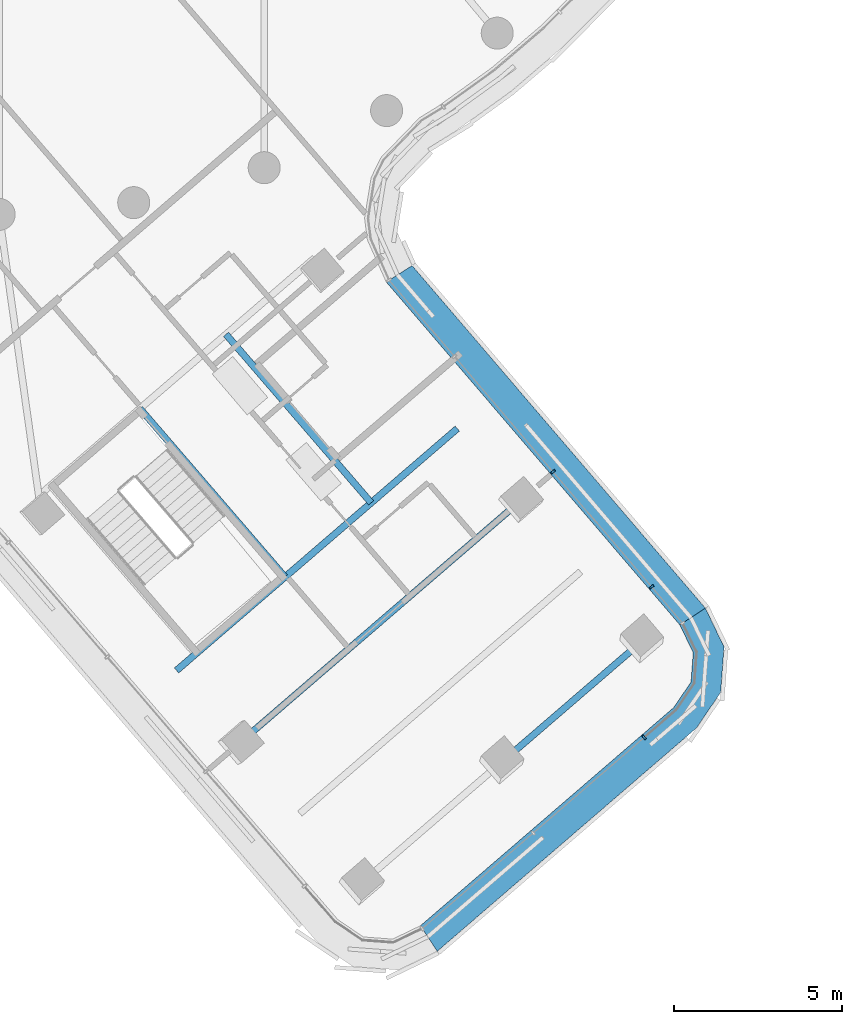
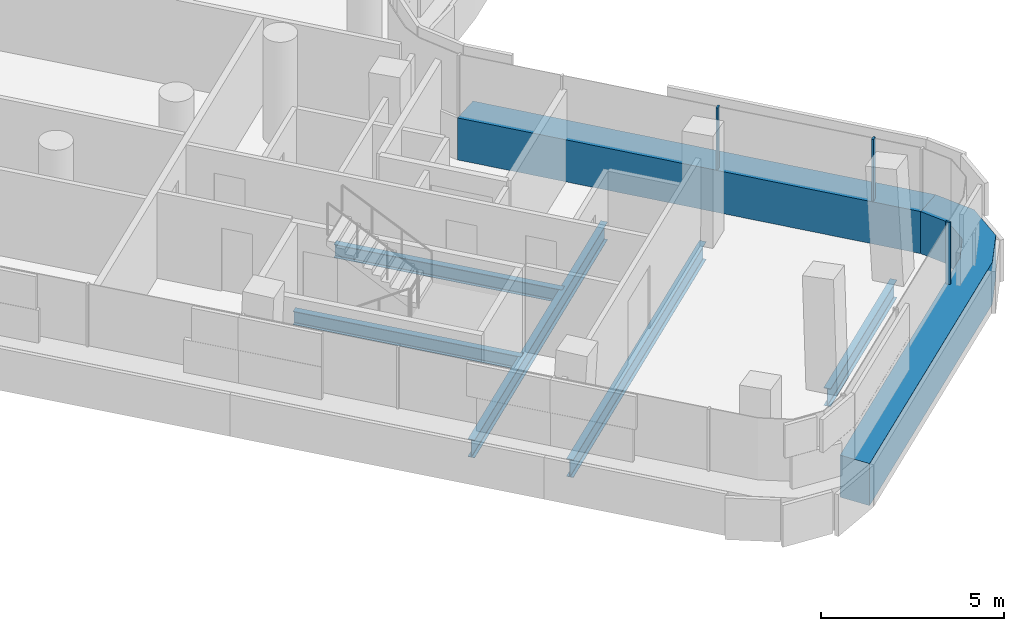
# One storey, part 5 of 34: 5 beams, 5 members, 2 elements without a shape of their own.
"""IFC4 building model written with IfcOpenShell, lengths in metres."""

from ifc_helpers import new_model, si_unit, direction, frame, origin, origin_2d, place, context, subcontext, project, spatial, polyline, rectangle, i_section, outline, extrude, material, layer, layer_set, material_profile, profile_set, type_object, element, aggregate, save


model = new_model("IFC4")

# Units and contexts
model_context = context("Model", 3, precision=1e-05, world=origin(), true_north=direction((0.0, 1.0)))
body_context = subcontext(model_context, "Body", "Model", "MODEL_VIEW")
ifc_project = project(units=[si_unit("LENGTHUNIT", "METRE"), si_unit("AREAUNIT", "SQUARE_METRE"), si_unit("VOLUMEUNIT", "CUBIC_METRE"), si_unit("PLANEANGLEUNIT", "RADIAN"), si_unit("MASSUNIT", "GRAM", prefix="KILO")], contexts=[model_context])

# Site, building, storey
site_placement = place(None, origin())
site = spatial("IfcSite", under=ifc_project, at=site_placement, CompositionType="ELEMENT")
building_placement = place(site_placement, origin())
building = spatial("IfcBuilding", under=site, at=building_placement, Name="Tamarind Cross Interchange Tower", CompositionType="ELEMENT")
storey_placement = place(building_placement, frame((0.0, 0.0, 182.5)))
storey = spatial("IfcBuildingStorey", under=building, at=storey_placement, Name="L45", CompositionType="ELEMENT", Elevation=182.5)

# Beams
ifc_material_1 = material(Name="Steel Q355B", Category="steel")
ifc_material_profile_1 = material_profile(ifc_material_1, i_section(OverallWidth=0.198974609375, OverallDepth=0.446044921875, WebThickness=0.008056640625, FlangeThickness=0.011962890625, FilletRadius=0.012939453125, at=origin_2d()), Name="HN 446x199x8x12")
ifc_profile_set_1 = profile_set([ifc_material_profile_1], Name="Steel Q355B")
beam_type_1 = type_object("IfcBeamType", Name="Composite beam HN 446x199x8x12 Q355B", PredefinedType="BEAM", material=ifc_profile_set_1)
for number, where, z_axis, x_axis, name in (
    (1, (4.1767578125, -28.762939453125, -0.363037109375), (0.652726663697, -0.75759349423, 0.0), (0.75759349423, 0.652726663697, 0.0), "Beam S-tr1"),
    (2, (6.73388671875, -26.56005859375, -0.363037109375), (0.652705432559, -0.757611786015, 0.0), (0.757611786015, 0.652705432559, 0.0), "Beam S-stripp"),
):
    element("IfcBeam", number, at=place(storey_placement, frame(where, z_axis=z_axis, x_axis=x_axis)), inside=storey, type_object=beam_type_1, Name=name, PredefinedType="BEAM", context=body_context, shape_type="SweptSolid", body=[
        extrude(i_section(OverallWidth=0.198974609375, OverallDepth=0.446044921875, WebThickness=0.008056640625, FlangeThickness=0.011962890625, FilletRadius=0.012939453125, at=origin_2d()), origin(), (0.0, 0.0, 1.0), 6.60009765625),
    ])
ifc_material_profile_2 = material_profile(ifc_material_1, i_section(OverallWidth=0.198974609375, OverallDepth=0.595947265625, WebThickness=0.010009765625, FlangeThickness=0.014892578125, FilletRadius=0.012939453125, at=origin_2d()), Name="HN 596x199x10x15")
ifc_profile_set_2 = profile_set([ifc_material_profile_2], Name="Steel Q355B")
beam_type_2 = type_object("IfcBeamType", Name="Composite beam HN 596x199x10x15 Q355B", PredefinedType="BEAM", material=ifc_profile_set_2)
beam_placement = place(storey_placement, frame((14.890625, -39.282958984375, -0.43798828125), z_axis=(0.757605988816, 0.652712161455, 0.0), x_axis=(-0.652712161455, 0.757605988816, 0.0)))
element("IfcBeam", 3, at=beam_placement, inside=storey, type_object=beam_type_2, Name="Beam S-tip1", PredefinedType="BEAM", context=body_context, shape_type="SweptSolid", body=[
    extrude(i_section(OverallWidth=0.198974609375, OverallDepth=0.595947265625, WebThickness=0.010009765625, FlangeThickness=0.014892578125, FilletRadius=0.012939453125, at=origin_2d()), origin(), (0.0, 0.0, 1.0), 5.5),
])
for number, where, z_axis, x_axis, name in (
    (4, (5.26513671875, -36.537353515625, -0.43798828125), (0.757595013443, 0.652724900403, 0.0), (-0.652724900403, 0.757595013443, 0.0), "Beam S-x364"),
    (5, (7.125244140625, -38.6962890625, -0.43798828125), (0.757604469266, 0.652713925198, 0.0), (-0.652713925198, 0.757604469266, 0.0), "Beam S-x393"),
):
    element("IfcBeam", number, at=place(storey_placement, frame(where, z_axis=z_axis, x_axis=x_axis)), inside=storey, type_object=beam_type_2, Name=name, PredefinedType="BEAM", context=body_context, shape_type="SweptSolid", body=[
        extrude(i_section(OverallWidth=0.198974609375, OverallDepth=0.595947265625, WebThickness=0.010009765625, FlangeThickness=0.014892578125, FilletRadius=0.012939453125, at=origin_2d()), origin(), (0.0, 0.0, 1.0), 11.0),
    ])

# Curtain wall, member
ifc_material_2 = material(Name="Aluminium 6063-T6", Category="aluminium")
ifc_layer = layer(ifc_material_2, 0.139892578125)
ifc_layer_set = layer_set([ifc_layer], Name="Aluminium 6063-T6")
curtain_wall_type = type_object("IfcCurtainWallType", Name="Hotel curtain wall, 4.5 m bays", PredefinedType="NOTDEFINED", material=ifc_layer_set)
curtain_wall_1_placement = place(storey_placement, origin())
curtain_wall_1 = element("IfcCurtainWall", 6, at=curtain_wall_1_placement, inside=storey, type_object=curtain_wall_type, Name="CWS-L45-08", PredefinedType="NOTDEFINED")
ifc_material_3 = material(Name="Aluminium and insulated spandrel panel", Category="aluminium")
member_type_1 = type_object("IfcMemberType", Name="Floor-edge blade transom", PredefinedType="USERDEFINED", material=ifc_material_3)
member_1_placement = place(storey_placement, origin())
member_1 = element("IfcMember", 7, at=member_1_placement, type_object=member_type_1, Name="CWT-L45-08", ObjectType="TRANSOM", PredefinedType="USERDEFINED", context=body_context, shape_type="SweptSolid", body=[
    extrude(outline(polyline([(12.5048828125, -44.11376953125), (20.02099609375, -37.63818359375), (20.5361328125, -36.88134765625), (20.60107421875, -36.00927734375), (20.203125, -35.184326171875), (20.962890625, -34.68798828125), (21.516357421875, -35.835693359375), (21.415771484375, -37.188720703125), (20.6982421875, -38.24267578125), (13.00244140625, -44.873046875), (12.5048828125, -44.11376953125)])), origin(), (0.0, 0.0, 1.0), 1.39990234375),
])

curtain_wall_2_placement = place(storey_placement, origin())
curtain_wall_2 = element("IfcCurtainWall", 8, at=curtain_wall_2_placement, inside=storey, type_object=curtain_wall_type, Name="CWS-L45-09", PredefinedType="NOTDEFINED")
member_2_placement = place(storey_placement, origin())
member_2 = element("IfcMember", 9, at=member_2_placement, type_object=member_type_1, Name="CWT-L45-09", ObjectType="TRANSOM", PredefinedType="USERDEFINED", context=body_context, shape_type="SweptSolid", body=[
    extrude(outline(polyline([(20.203125, -35.184326171875), (11.488525390625, -25.00537109375), (12.2568359375, -24.51904296875), (20.962890625, -34.68798828125), (20.203125, -35.184326171875)])), origin(), (0.0, 0.0, 1.0), 1.39990234375),
])

# Member
ifc_material_profile_3 = material_profile(ifc_material_2, rectangle(XDim=0.06005859375, YDim=0.139892578125, at=origin_2d()), Name="Mullion CW2")
ifc_profile_set_3 = profile_set([ifc_material_profile_3], Name="Aluminium 6063-T6")
member_type_2 = type_object("IfcMemberType", Name="Mullion CW2", PredefinedType="MULLION", material=ifc_profile_set_3)
member_3_placement = place(storey_placement, frame((19.14453125, -38.525146484375, 1.39990234375), z_axis=(0.0, 0.0, 1.0), x_axis=(0.757596883339, 0.652722730074, 0.0)))
member_3 = element("IfcMember", 10, at=member_3_placement, type_object=member_type_2, Name="CWM-L45-08-02", PredefinedType="MULLION", context=body_context, shape_type="SweptSolid", body=[
    extrude(rectangle(XDim=0.06005859375, YDim=0.139892578125, at=origin_2d()), origin(), (0.0, 0.0, 1.0), 2.06005859375),
])

aggregate(curtain_wall_1, [member_3, member_1])

member_4_placement = place(storey_placement, frame((19.366943359375, -34.0537109375, 1.39990234375), z_axis=(0.0, 0.0, 1.0), x_axis=(-0.650358204159, 0.759627676091, 0.0)))
member_4 = element("IfcMember", 11, at=member_4_placement, type_object=member_type_2, Name="CWM-L45-09-01", PredefinedType="MULLION", context=body_context, shape_type="SweptSolid", body=[
    extrude(rectangle(XDim=0.06005859375, YDim=0.139892578125, at=origin_2d()), origin(), (0.0, 0.0, 1.0), 2.06005859375),
])

member_5_placement = place(storey_placement, frame((16.439697265625, -30.634765625, 1.39990234375), z_axis=(0.0, 0.0, 1.0), x_axis=(-0.650358204159, 0.759627676091, 0.0)))
member_5 = element("IfcMember", 12, at=member_5_placement, type_object=member_type_2, Name="CWM-L45-09-02", PredefinedType="MULLION", context=body_context, shape_type="SweptSolid", body=[
    extrude(rectangle(XDim=0.06005859375, YDim=0.139892578125, at=origin_2d()), origin(), (0.0, 0.0, 1.0), 2.06005859375),
])

aggregate(curtain_wall_2, [member_4, member_5, member_2])

save(model, "model.ifc")
